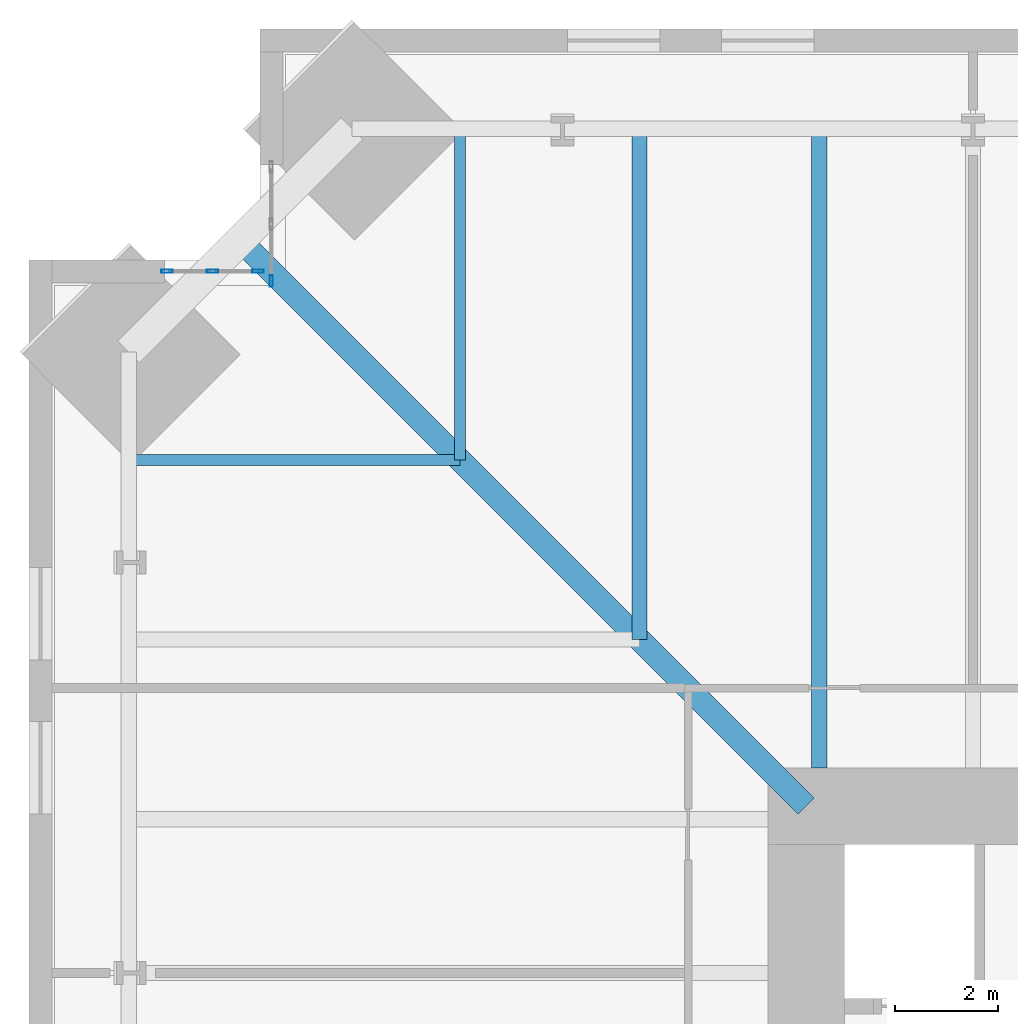
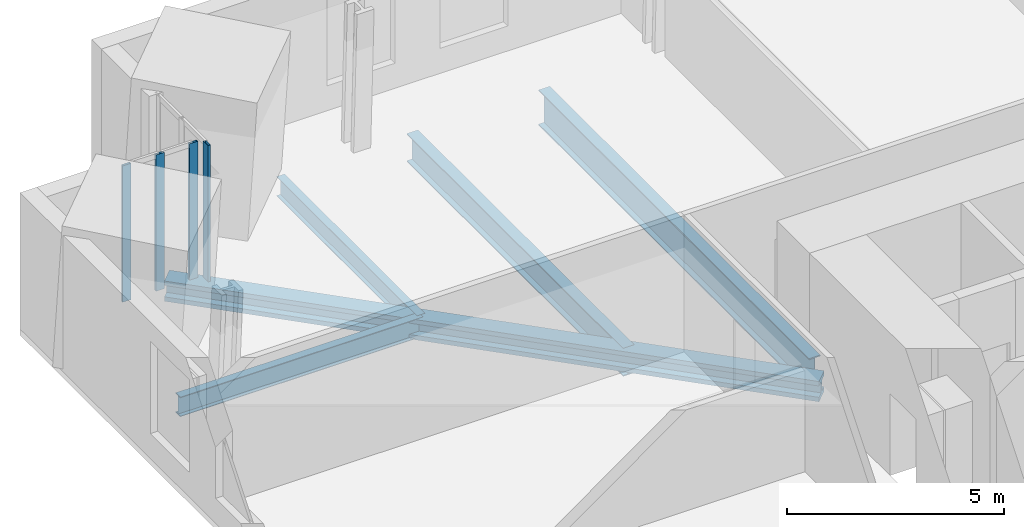
# One storey, part 6 of 18: 5 beams, 4 members, 2 elements without a shape of their own.
"""IFC4 building model written with IfcOpenShell, lengths in metres."""

from ifc_helpers import new_model, si_unit, direction, frame, origin, origin_2d, place, context, subcontext, project, spatial, hollow_rectangle, i_section, extrude, material, material_profile, profile_set, type_object, element, aggregate, save


model = new_model("IFC4")

# Units and contexts
model_context = context("Model", 3, precision=1e-05, world=origin(), true_north=direction((0.0, 1.0)))
body_context = subcontext(model_context, "Body", "Model", "MODEL_VIEW")
ifc_project = project(units=[si_unit("LENGTHUNIT", "METRE"), si_unit("AREAUNIT", "SQUARE_METRE"), si_unit("VOLUMEUNIT", "CUBIC_METRE"), si_unit("PLANEANGLEUNIT", "RADIAN"), si_unit("MASSUNIT", "GRAM", prefix="KILO")], contexts=[model_context])

# Site, building, storey
site_placement = place(None, origin())
site = spatial("IfcSite", under=ifc_project, at=site_placement, CompositionType="ELEMENT")
building_placement = place(site_placement, origin())
building = spatial("IfcBuilding", under=site, at=building_placement, Name="Peilmerk Tower", CompositionType="ELEMENT")
storey_placement = place(building_placement, frame((0.0, 0.0, 159.800048828125)))
storey = spatial("IfcBuildingStorey", under=building, at=storey_placement, Name="L33", CompositionType="ELEMENT", Elevation=159.800048828125)

# Beams
ifc_material_1 = material(Name="Steel S355", Category="steel")
ifc_material_profile_1 = material_profile(ifc_material_1, i_section(OverallWidth=0.2099609375, OverallDepth=0.550048828125, WebThickness=0.010986328125, FlangeThickness=0.01708984375, at=origin_2d()), Name="IPE 550")
ifc_profile_set_1 = profile_set([ifc_material_profile_1], Name="Steel S355")
beam_type_1 = type_object("IfcBeamType", Name="B12 IPE 550 floor beam", PredefinedType="BEAM", material=ifc_profile_set_1)
for number, where, z_axis, x_axis, name in (
    (1, (-18.0, 18.0, -0.445068359375), (0.0, 1.0, 0.0), (-1.0, 0.0, 0.0), "Floor beam L33"),
    (2, (-18.0, 18.0, -0.445068359375), (-1.0, 0.0, 0.0), (0.0, -1.0, 0.0), "Floor beam L33"),
):
    element("IfcBeam", number, at=place(storey_placement, frame(where, z_axis=z_axis, x_axis=x_axis)), inside=storey, type_object=beam_type_1, Name=name, PredefinedType="BEAM", context=body_context, shape_type="SweptSolid", body=[
        extrude(i_section(OverallWidth=0.2099609375, OverallDepth=0.550048828125, WebThickness=0.010986328125, FlangeThickness=0.01708984375, at=origin_2d()), origin(), (0.0, 0.0, 1.0), 6.453125),
    ])
ifc_material_profile_2 = material_profile(ifc_material_1, i_section(OverallWidth=0.300048828125, OverallDepth=0.989990234375, WebThickness=0.0166015625, FlangeThickness=0.031005859375, at=origin_2d()), Name="HEA 1000")
ifc_profile_set_2 = profile_set([ifc_material_profile_2], Name="Steel S355")
beam_type_2 = type_object("IfcBeamType", Name="B14 HEA 1000 floor girder", PredefinedType="BEAM", material=ifc_profile_set_2)
beam_1_placement = place(storey_placement, frame((-11.0, 12.0, -0.6650390625), z_axis=(0.0, 1.0, 0.0), x_axis=(-1.0, 0.0, 0.0)))
element("IfcBeam", 3, at=beam_1_placement, inside=storey, type_object=beam_type_2, Name="Floor beam L33", PredefinedType="BEAM", context=body_context, shape_type="SweptSolid", body=[
    extrude(i_section(OverallWidth=0.300048828125, OverallDepth=0.989990234375, WebThickness=0.0166015625, FlangeThickness=0.031005859375, at=origin_2d()), origin(), (0.0, 0.0, 1.0), 12.453125),
])
ifc_material_profile_3 = material_profile(ifc_material_1, i_section(OverallWidth=0.300048828125, OverallDepth=0.7900390625, WebThickness=0.014892578125, FlangeThickness=0.028076171875, at=origin_2d()), Name="HEA 800")
ifc_profile_set_3 = profile_set([ifc_material_profile_3], Name="Steel S355")
beam_type_3 = type_object("IfcBeamType", Name="B3 HEA 800 floor beam", PredefinedType="BEAM", material=ifc_profile_set_3)
beam_2_placement = place(storey_placement, frame((-14.5, 14.5, -0.56494140625), z_axis=(0.0, 1.0, 0.0), x_axis=(-1.0, 0.0, 0.0)))
element("IfcBeam", 4, at=beam_2_placement, inside=storey, type_object=beam_type_3, Name="Floor beam L33", PredefinedType="BEAM", context=body_context, shape_type="SweptSolid", body=[
    extrude(i_section(OverallWidth=0.300048828125, OverallDepth=0.7900390625, WebThickness=0.014892578125, FlangeThickness=0.028076171875, at=origin_2d()), origin(), (0.0, 0.0, 1.0), 9.953125),
])
ifc_material_2 = material(Name="Steel S460", Category="steel")
ifc_material_profile_4 = material_profile(ifc_material_2, i_section(OverallWidth=0.4541015625, OverallDepth=0.569091796875, WebThickness=0.077880859375, FlangeThickness=0.125, at=origin_2d()), Name="HD 400x1086")
ifc_profile_set_4 = profile_set([ifc_material_profile_4], Name="Steel S460")
beam_type_4 = type_object("IfcBeamType", Name="B9 HD 400x1086 corner girder", PredefinedType="BEAM", material=ifc_profile_set_4)
beam_3_placement = place(storey_placement, frame((-11.25, 11.25, -0.45458984375), z_axis=(-0.707106781187, 0.707106781187, 0.0), x_axis=(-0.707106781187, -0.707106781187, 0.0)))
element("IfcBeam", 5, at=beam_3_placement, inside=storey, type_object=beam_type_4, Name="Corner girder L33", PredefinedType="BEAM", context=body_context, shape_type="SweptSolid", body=[
    extrude(i_section(OverallWidth=0.4541015625, OverallDepth=0.569091796875, WebThickness=0.077880859375, FlangeThickness=0.125, at=origin_2d()), origin(), (0.0, 0.0, 1.0), 15.596435546875),
])

# Curtain wall, member
ifc_material_3 = material(Name="Aluminium stick curtain wall", Category="aluminium")
curtain_wall_type = type_object("IfcCurtainWallType", Name="CW3 stick curtain wall, 2250 module", PredefinedType="NOTDEFINED", material=ifc_material_3)
curtain_wall_1_placement = place(storey_placement, origin())
curtain_wall_1 = element("IfcCurtainWall", 6, at=curtain_wall_1_placement, inside=storey, type_object=curtain_wall_type, Name="Curtain wall CW3 NWA L33", PredefinedType="NOTDEFINED")
ifc_material_4 = material(Name="Aluminium EN AW-6063 T6", Category="aluminium")
ifc_material_profile_5 = material_profile(ifc_material_4, hollow_rectangle(XDim=0.06494140625, YDim=0.22509765625, WallThickness=0.00390625, at=origin_2d()), Name="AL 225x65x4")
ifc_profile_set_5 = profile_set([ifc_material_profile_5], Name="Aluminium EN AW-6063 T6")
member_type = type_object("IfcMemberType", Name="CW3-M AL 225x65x4 mullion", PredefinedType="MULLION", material=ifc_profile_set_5)
member_1_placement = place(storey_placement, frame((-21.675048828125, 21.482421875, 0.0), z_axis=(0.0, 0.0, 1.0), x_axis=(-1.0, 0.0, 0.0)))
member_1 = element("IfcMember", 7, at=member_1_placement, type_object=member_type, Name="CW3 mullion 1", PredefinedType="MULLION", context=body_context, shape_type="SweptSolid", body=[
    extrude(hollow_rectangle(XDim=0.06494140625, YDim=0.22509765625, WallThickness=0.00390625, at=origin_2d()), origin(), (0.0, 0.0, 1.0), 3.829833984375),
])
aggregate(curtain_wall_1, [member_1])

# Curtain wall, members
curtain_wall_2_placement = place(storey_placement, origin())
curtain_wall_2 = element("IfcCurtainWall", 8, at=curtain_wall_2_placement, inside=storey, type_object=curtain_wall_type, Name="Curtain wall CW3 NWB L33", PredefinedType="NOTDEFINED")
member_2_placement = place(storey_placement, frame((-21.9326171875, 21.675048828125, 0.0), z_axis=(0.0, 0.0, 1.0), x_axis=(0.0, -1.0, 0.0)))
member_2 = element("IfcMember", 9, at=member_2_placement, type_object=member_type, Name="CW3 mullion 1", PredefinedType="MULLION", context=body_context, shape_type="SweptSolid", body=[
    extrude(hollow_rectangle(XDim=0.06494140625, YDim=0.22509765625, WallThickness=0.00390625, at=origin_2d()), origin(), (0.0, 0.0, 1.0), 3.829833984375),
])
member_3_placement = place(storey_placement, frame((-22.8193359375, 21.675048828125, 0.0), z_axis=(0.0, 0.0, 1.0), x_axis=(0.0, -1.0, 0.0)))
member_3 = element("IfcMember", 10, at=member_3_placement, type_object=member_type, Name="CW3 mullion 2", PredefinedType="MULLION", context=body_context, shape_type="SweptSolid", body=[
    extrude(hollow_rectangle(XDim=0.06494140625, YDim=0.22509765625, WallThickness=0.00390625, at=origin_2d()), origin(), (0.0, 0.0, 1.0), 3.829833984375),
])
member_4_placement = place(storey_placement, frame((-23.706298828125, 21.675048828125, 0.0), z_axis=(0.0, 0.0, 1.0), x_axis=(0.0, -1.0, 0.0)))
member_4 = element("IfcMember", 11, at=member_4_placement, type_object=member_type, Name="CW3 mullion 3", PredefinedType="MULLION", context=body_context, shape_type="SweptSolid", body=[
    extrude(hollow_rectangle(XDim=0.06494140625, YDim=0.22509765625, WallThickness=0.00390625, at=origin_2d()), origin(), (0.0, 0.0, 1.0), 3.829833984375),
])
aggregate(curtain_wall_2, [member_2, member_3, member_4])

save(model, "model.ifc")
